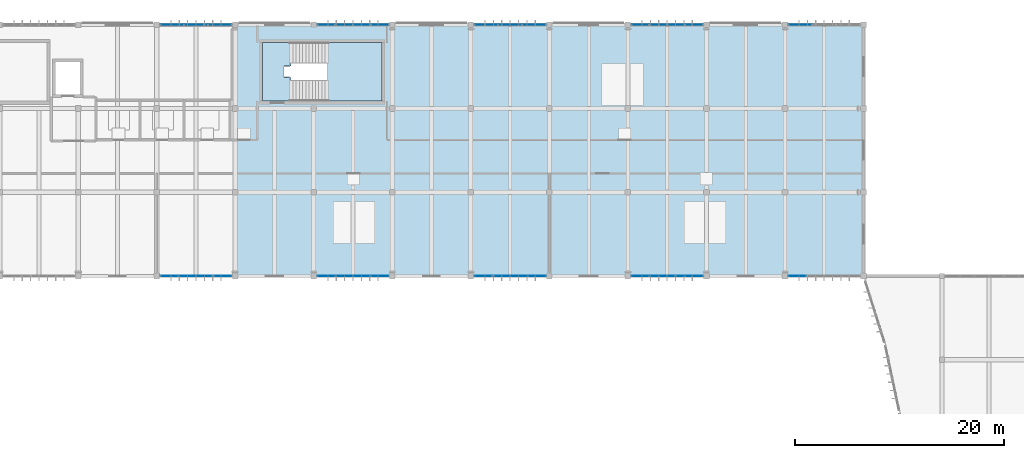
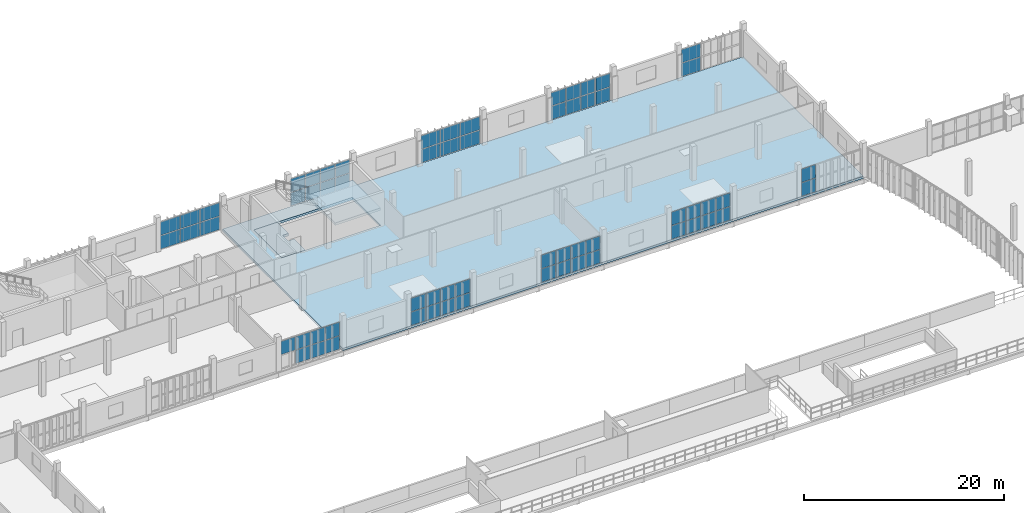
# One storey, part 35 of 61: 63 plates, 3 slabs, 11 elements without a shape of their own.
"""IFC4 building model written with IfcOpenShell, lengths in metres."""

from ifc_helpers import new_model, si_unit, direction, frame, origin, origin_2d, place, context, subcontext, project, spatial, polyline, rectangle, outline, extrude, material, layer, layer_set, type_object, element, aggregate, save


model = new_model("IFC4")

# Units and contexts
model_context = context("Model", 3, precision=1e-05, world=origin(), true_north=direction((0.0, 1.0)))
body_context = subcontext(model_context, "Body", "Model", "MODEL_VIEW")
ifc_project = project(units=[si_unit("LENGTHUNIT", "METRE"), si_unit("AREAUNIT", "SQUARE_METRE"), si_unit("VOLUMEUNIT", "CUBIC_METRE"), si_unit("PLANEANGLEUNIT", "RADIAN"), si_unit("MASSUNIT", "GRAM", prefix="KILO")], contexts=[model_context])

# Site, building, storey
site_placement = place(None, origin())
site = spatial("IfcSite", under=ifc_project, at=site_placement, CompositionType="ELEMENT")
building_placement = place(site_placement, origin())
building = spatial("IfcBuilding", under=site, at=building_placement, Name="Vourika Railside Aquatics Centre", CompositionType="ELEMENT")
storey_placement = place(building_placement, frame((0.0, 0.0, 9.300048828125)))
storey = spatial("IfcBuildingStorey", under=building, at=storey_placement, Name="L02", CompositionType="ELEMENT", Elevation=9.300048828125)

# Curtain wall, plates
ifc_material_1 = material(Name="Anodized thermally broken aluminium", Category="aluminium")
curtain_wall_type = type_object("IfcCurtainWallType", Name="CW-FIT2", PredefinedType="NOTDEFINED", material=ifc_material_1)
curtain_wall_1_placement = place(storey_placement, origin())
curtain_wall_1 = element("IfcCurtainWall", 1, at=curtain_wall_1_placement, inside=storey, type_object=curtain_wall_type, Name="North Boulevard Curtain Wall L02-7", PredefinedType="NOTDEFINED")
ifc_material_2 = material(Name="Low-E solar-control laminated double glazing", Category="glass")
ifc_layer_1 = layer(ifc_material_2, 0.02392578125, Name="CWP-FIT2")
ifc_layer_set_1 = layer_set([ifc_layer_1], Name="Low-E solar-control laminated double glazing")
plate_type = type_object("IfcPlateType", Name="CWP-FIT2", PredefinedType="CURTAIN_PANEL", material=ifc_layer_set_1)
plate_1_placement = place(storey_placement, frame((72.03173828125, 116.0, 0.059814453125), z_axis=(0.0, 0.0, 1.0), x_axis=(-1.0, 0.0, 0.0)))
plate_1 = element("IfcPlate", 2, at=plate_1_placement, type_object=plate_type, Name="CW16 panel 1.1", PredefinedType="CURTAIN_PANEL", context=body_context, shape_type="SweptSolid", body=[
    extrude(rectangle(XDim=2.206787109375, YDim=0.02392578125, at=origin_2d()), origin(), (0.0, 0.0, 1.0), 1.6201171875),
])
plate_2_placement = place(storey_placement, frame((72.03173828125, 116.0, 1.739990234375), z_axis=(0.0, 0.0, 1.0), x_axis=(-1.0, 0.0, 0.0)))
plate_2 = element("IfcPlate", 3, at=plate_2_placement, type_object=plate_type, Name="CW16 panel 1.2", PredefinedType="CURTAIN_PANEL", context=body_context, shape_type="SweptSolid", body=[
    extrude(rectangle(XDim=2.206787109375, YDim=0.02392578125, at=origin_2d()), origin(), (0.0, 0.0, 1.0), 1.6201171875),
])
plate_3_placement = place(storey_placement, frame((69.75, 116.0, 0.059814453125), z_axis=(0.0, 0.0, 1.0), x_axis=(-1.0, 0.0, 0.0)))
plate_3 = element("IfcPlate", 4, at=plate_3_placement, type_object=plate_type, Name="CW16 panel 2.1", PredefinedType="CURTAIN_PANEL", context=body_context, shape_type="SweptSolid", body=[
    extrude(rectangle(XDim=2.236572265625, YDim=0.02392578125, at=origin_2d()), origin(), (0.0, 0.0, 1.0), 1.6201171875),
])
plate_4_placement = place(storey_placement, frame((69.75, 116.0, 1.739990234375), z_axis=(0.0, 0.0, 1.0), x_axis=(-1.0, 0.0, 0.0)))
plate_4 = element("IfcPlate", 5, at=plate_4_placement, type_object=plate_type, Name="CW16 panel 2.2", PredefinedType="CURTAIN_PANEL", context=body_context, shape_type="SweptSolid", body=[
    extrude(rectangle(XDim=2.236572265625, YDim=0.02392578125, at=origin_2d()), origin(), (0.0, 0.0, 1.0), 1.6201171875),
])
plate_5_placement = place(storey_placement, frame((67.46826171875, 116.0, 0.059814453125), z_axis=(0.0, 0.0, 1.0), x_axis=(-1.0, 0.0, 0.0)))
plate_5 = element("IfcPlate", 6, at=plate_5_placement, type_object=plate_type, Name="CW16 panel 3.1", PredefinedType="CURTAIN_PANEL", context=body_context, shape_type="SweptSolid", body=[
    extrude(rectangle(XDim=2.206787109375, YDim=0.02392578125, at=origin_2d()), origin(), (0.0, 0.0, 1.0), 1.6201171875),
])
plate_6_placement = place(storey_placement, frame((67.46826171875, 116.0, 1.739990234375), z_axis=(0.0, 0.0, 1.0), x_axis=(-1.0, 0.0, 0.0)))
plate_6 = element("IfcPlate", 7, at=plate_6_placement, type_object=plate_type, Name="CW16 panel 3.2", PredefinedType="CURTAIN_PANEL", context=body_context, shape_type="SweptSolid", body=[
    extrude(rectangle(XDim=2.206787109375, YDim=0.02392578125, at=origin_2d()), origin(), (0.0, 0.0, 1.0), 1.6201171875),
])
aggregate(curtain_wall_1, [plate_1, plate_2, plate_3, plate_4, plate_5, plate_6])

curtain_wall_2_placement = place(storey_placement, origin())
curtain_wall_2 = element("IfcCurtainWall", 8, at=curtain_wall_2_placement, inside=storey, type_object=curtain_wall_type, Name="North Boulevard Curtain Wall L02-9", PredefinedType="NOTDEFINED")
plate_7_placement = place(storey_placement, frame((87.31884765625, 116.0, 0.059814453125), z_axis=(0.0, 0.0, 1.0), x_axis=(-1.0, 0.0, 0.0)))
plate_7 = element("IfcPlate", 9, at=plate_7_placement, type_object=plate_type, Name="CW16 panel 1.1", PredefinedType="CURTAIN_PANEL", context=body_context, shape_type="SweptSolid", body=[
    extrude(rectangle(XDim=1.632568359375, YDim=0.02392578125, at=origin_2d()), origin(), (0.0, 0.0, 1.0), 1.6201171875),
])
plate_8_placement = place(storey_placement, frame((87.31884765625, 116.0, 1.739990234375), z_axis=(0.0, 0.0, 1.0), x_axis=(-1.0, 0.0, 0.0)))
plate_8 = element("IfcPlate", 10, at=plate_8_placement, type_object=plate_type, Name="CW16 panel 1.2", PredefinedType="CURTAIN_PANEL", context=body_context, shape_type="SweptSolid", body=[
    extrude(rectangle(XDim=1.632568359375, YDim=0.02392578125, at=origin_2d()), origin(), (0.0, 0.0, 1.0), 1.6201171875),
])
plate_9_placement = place(storey_placement, frame((85.611328125, 116.0, 0.059814453125), z_axis=(0.0, 0.0, 1.0), x_axis=(-1.0, 0.0, 0.0)))
plate_9 = element("IfcPlate", 11, at=plate_9_placement, type_object=plate_type, Name="CW16 panel 2.1", PredefinedType="CURTAIN_PANEL", context=body_context, shape_type="SweptSolid", body=[
    extrude(rectangle(XDim=1.66259765625, YDim=0.02392578125, at=origin_2d()), origin(), (0.0, 0.0, 1.0), 1.6201171875),
])
plate_10_placement = place(storey_placement, frame((85.611328125, 116.0, 1.739990234375), z_axis=(0.0, 0.0, 1.0), x_axis=(-1.0, 0.0, 0.0)))
plate_10 = element("IfcPlate", 12, at=plate_10_placement, type_object=plate_type, Name="CW16 panel 2.2", PredefinedType="CURTAIN_PANEL", context=body_context, shape_type="SweptSolid", body=[
    extrude(rectangle(XDim=1.66259765625, YDim=0.02392578125, at=origin_2d()), origin(), (0.0, 0.0, 1.0), 1.6201171875),
])
plate_11_placement = place(storey_placement, frame((83.888671875, 116.0, 0.059814453125), z_axis=(0.0, 0.0, 1.0), x_axis=(-1.0, 0.0, 0.0)))
plate_11 = element("IfcPlate", 13, at=plate_11_placement, type_object=plate_type, Name="CW16 panel 3.1", PredefinedType="CURTAIN_PANEL", context=body_context, shape_type="SweptSolid", body=[
    extrude(rectangle(XDim=1.66259765625, YDim=0.02392578125, at=origin_2d()), origin(), (0.0, 0.0, 1.0), 1.6201171875),
])
plate_12_placement = place(storey_placement, frame((83.888671875, 116.0, 1.739990234375), z_axis=(0.0, 0.0, 1.0), x_axis=(-1.0, 0.0, 0.0)))
plate_12 = element("IfcPlate", 14, at=plate_12_placement, type_object=plate_type, Name="CW16 panel 3.2", PredefinedType="CURTAIN_PANEL", context=body_context, shape_type="SweptSolid", body=[
    extrude(rectangle(XDim=1.66259765625, YDim=0.02392578125, at=origin_2d()), origin(), (0.0, 0.0, 1.0), 1.6201171875),
])
plate_13_placement = place(storey_placement, frame((82.18115234375, 116.0, 0.059814453125), z_axis=(0.0, 0.0, 1.0), x_axis=(-1.0, 0.0, 0.0)))
plate_13 = element("IfcPlate", 15, at=plate_13_placement, type_object=plate_type, Name="CW16 panel 4.1", PredefinedType="CURTAIN_PANEL", context=body_context, shape_type="SweptSolid", body=[
    extrude(rectangle(XDim=1.632568359375, YDim=0.02392578125, at=origin_2d()), origin(), (0.0, 0.0, 1.0), 1.6201171875),
])
plate_14_placement = place(storey_placement, frame((82.18115234375, 116.0, 1.739990234375), z_axis=(0.0, 0.0, 1.0), x_axis=(-1.0, 0.0, 0.0)))
plate_14 = element("IfcPlate", 16, at=plate_14_placement, type_object=plate_type, Name="CW16 panel 4.2", PredefinedType="CURTAIN_PANEL", context=body_context, shape_type="SweptSolid", body=[
    extrude(rectangle(XDim=1.632568359375, YDim=0.02392578125, at=origin_2d()), origin(), (0.0, 0.0, 1.0), 1.6201171875),
])
aggregate(curtain_wall_2, [plate_7, plate_8, plate_9, plate_10, plate_11, plate_12, plate_13, plate_14])

curtain_wall_3_placement = place(storey_placement, origin())
curtain_wall_3 = element("IfcCurtainWall", 17, at=curtain_wall_3_placement, inside=storey, type_object=curtain_wall_type, Name="North Boulevard Curtain Wall L02-11", PredefinedType="NOTDEFINED")
plate_15_placement = place(storey_placement, frame((102.03173828125, 116.0, 0.06005859375), z_axis=(0.0, 0.0, 1.0), x_axis=(-1.0, 0.0, 0.0)))
plate_15 = element("IfcPlate", 18, at=plate_15_placement, type_object=plate_type, Name="CW16 panel 1.1", PredefinedType="CURTAIN_PANEL", context=body_context, shape_type="SweptSolid", body=[
    extrude(rectangle(XDim=2.206787109375, YDim=0.02392578125, at=origin_2d()), origin(), (0.0, 0.0, 1.0), 1.614990234375),
])
plate_16_placement = place(storey_placement, frame((102.03173828125, 116.0, 1.73486328125), z_axis=(0.0, 0.0, 1.0), x_axis=(-1.0, 0.0, 0.0)))
plate_16 = element("IfcPlate", 19, at=plate_16_placement, type_object=plate_type, Name="CW16 panel 1.2", PredefinedType="CURTAIN_PANEL", context=body_context, shape_type="SweptSolid", body=[
    extrude(rectangle(XDim=2.206787109375, YDim=0.02392578125, at=origin_2d()), origin(), (0.0, 0.0, 1.0), 1.614990234375),
])
plate_17_placement = place(storey_placement, frame((99.75, 116.0, 0.06005859375), z_axis=(0.0, 0.0, 1.0), x_axis=(-1.0, 0.0, 0.0)))
plate_17 = element("IfcPlate", 20, at=plate_17_placement, type_object=plate_type, Name="CW16 panel 2.1", PredefinedType="CURTAIN_PANEL", context=body_context, shape_type="SweptSolid", body=[
    extrude(rectangle(XDim=2.236572265625, YDim=0.02392578125, at=origin_2d()), origin(), (0.0, 0.0, 1.0), 1.614990234375),
])
plate_18_placement = place(storey_placement, frame((99.75, 116.0, 1.73486328125), z_axis=(0.0, 0.0, 1.0), x_axis=(-1.0, 0.0, 0.0)))
plate_18 = element("IfcPlate", 21, at=plate_18_placement, type_object=plate_type, Name="CW16 panel 2.2", PredefinedType="CURTAIN_PANEL", context=body_context, shape_type="SweptSolid", body=[
    extrude(rectangle(XDim=2.236572265625, YDim=0.02392578125, at=origin_2d()), origin(), (0.0, 0.0, 1.0), 1.614990234375),
])
plate_19_placement = place(storey_placement, frame((97.46826171875, 116.0, 0.06005859375), z_axis=(0.0, 0.0, 1.0), x_axis=(-1.0, 0.0, 0.0)))
plate_19 = element("IfcPlate", 22, at=plate_19_placement, type_object=plate_type, Name="CW16 panel 3.1", PredefinedType="CURTAIN_PANEL", context=body_context, shape_type="SweptSolid", body=[
    extrude(rectangle(XDim=2.206787109375, YDim=0.02392578125, at=origin_2d()), origin(), (0.0, 0.0, 1.0), 1.614990234375),
])
plate_20_placement = place(storey_placement, frame((97.46826171875, 116.0, 1.73486328125), z_axis=(0.0, 0.0, 1.0), x_axis=(-1.0, 0.0, 0.0)))
plate_20 = element("IfcPlate", 23, at=plate_20_placement, type_object=plate_type, Name="CW16 panel 3.2", PredefinedType="CURTAIN_PANEL", context=body_context, shape_type="SweptSolid", body=[
    extrude(rectangle(XDim=2.206787109375, YDim=0.02392578125, at=origin_2d()), origin(), (0.0, 0.0, 1.0), 1.614990234375),
])
aggregate(curtain_wall_3, [plate_15, plate_16, plate_17, plate_18, plate_19, plate_20])

curtain_wall_4_placement = place(storey_placement, origin())
curtain_wall_4 = element("IfcCurtainWall", 24, at=curtain_wall_4_placement, inside=storey, type_object=curtain_wall_type, Name="North Boulevard Curtain Wall L02-13", PredefinedType="NOTDEFINED")
plate_21_placement = place(storey_placement, frame((117.31884765625, 116.0, 0.06005859375), z_axis=(0.0, 0.0, 1.0), x_axis=(-1.0, 0.0, 0.0)))
plate_21 = element("IfcPlate", 25, at=plate_21_placement, type_object=plate_type, Name="CW16 panel 1.1", PredefinedType="CURTAIN_PANEL", context=body_context, shape_type="SweptSolid", body=[
    extrude(rectangle(XDim=1.632568359375, YDim=0.02392578125, at=origin_2d()), origin(), (0.0, 0.0, 1.0), 1.614990234375),
])
plate_22_placement = place(storey_placement, frame((117.31884765625, 116.0, 1.73486328125), z_axis=(0.0, 0.0, 1.0), x_axis=(-1.0, 0.0, 0.0)))
plate_22 = element("IfcPlate", 26, at=plate_22_placement, type_object=plate_type, Name="CW16 panel 1.2", PredefinedType="CURTAIN_PANEL", context=body_context, shape_type="SweptSolid", body=[
    extrude(rectangle(XDim=1.632568359375, YDim=0.02392578125, at=origin_2d()), origin(), (0.0, 0.0, 1.0), 1.614990234375),
])
plate_23_placement = place(storey_placement, frame((115.611328125, 116.0, 0.06005859375), z_axis=(0.0, 0.0, 1.0), x_axis=(-1.0, 0.0, 0.0)))
plate_23 = element("IfcPlate", 27, at=plate_23_placement, type_object=plate_type, Name="CW16 panel 2.1", PredefinedType="CURTAIN_PANEL", context=body_context, shape_type="SweptSolid", body=[
    extrude(rectangle(XDim=1.66259765625, YDim=0.02392578125, at=origin_2d()), origin(), (0.0, 0.0, 1.0), 1.614990234375),
])
plate_24_placement = place(storey_placement, frame((115.611328125, 116.0, 1.73486328125), z_axis=(0.0, 0.0, 1.0), x_axis=(-1.0, 0.0, 0.0)))
plate_24 = element("IfcPlate", 28, at=plate_24_placement, type_object=plate_type, Name="CW16 panel 2.2", PredefinedType="CURTAIN_PANEL", context=body_context, shape_type="SweptSolid", body=[
    extrude(rectangle(XDim=1.66259765625, YDim=0.02392578125, at=origin_2d()), origin(), (0.0, 0.0, 1.0), 1.614990234375),
])
plate_25_placement = place(storey_placement, frame((113.888671875, 116.0, 0.06005859375), z_axis=(0.0, 0.0, 1.0), x_axis=(-1.0, 0.0, 0.0)))
plate_25 = element("IfcPlate", 29, at=plate_25_placement, type_object=plate_type, Name="CW16 panel 3.1", PredefinedType="CURTAIN_PANEL", context=body_context, shape_type="SweptSolid", body=[
    extrude(rectangle(XDim=1.66259765625, YDim=0.02392578125, at=origin_2d()), origin(), (0.0, 0.0, 1.0), 1.614990234375),
])
plate_26_placement = place(storey_placement, frame((113.888671875, 116.0, 1.73486328125), z_axis=(0.0, 0.0, 1.0), x_axis=(-1.0, 0.0, 0.0)))
plate_26 = element("IfcPlate", 30, at=plate_26_placement, type_object=plate_type, Name="CW16 panel 3.2", PredefinedType="CURTAIN_PANEL", context=body_context, shape_type="SweptSolid", body=[
    extrude(rectangle(XDim=1.66259765625, YDim=0.02392578125, at=origin_2d()), origin(), (0.0, 0.0, 1.0), 1.614990234375),
])
plate_27_placement = place(storey_placement, frame((112.18115234375, 116.0, 0.06005859375), z_axis=(0.0, 0.0, 1.0), x_axis=(-1.0, 0.0, 0.0)))
plate_27 = element("IfcPlate", 31, at=plate_27_placement, type_object=plate_type, Name="CW16 panel 4.1", PredefinedType="CURTAIN_PANEL", context=body_context, shape_type="SweptSolid", body=[
    extrude(rectangle(XDim=1.632568359375, YDim=0.02392578125, at=origin_2d()), origin(), (0.0, 0.0, 1.0), 1.614990234375),
])
plate_28_placement = place(storey_placement, frame((112.18115234375, 116.0, 1.73486328125), z_axis=(0.0, 0.0, 1.0), x_axis=(-1.0, 0.0, 0.0)))
plate_28 = element("IfcPlate", 32, at=plate_28_placement, type_object=plate_type, Name="CW16 panel 4.2", PredefinedType="CURTAIN_PANEL", context=body_context, shape_type="SweptSolid", body=[
    extrude(rectangle(XDim=1.632568359375, YDim=0.02392578125, at=origin_2d()), origin(), (0.0, 0.0, 1.0), 1.614990234375),
])
aggregate(curtain_wall_4, [plate_21, plate_22, plate_23, plate_24, plate_25, plate_26, plate_27, plate_28])

curtain_wall_5_placement = place(storey_placement, origin())
curtain_wall_5 = element("IfcCurtainWall", 33, at=curtain_wall_5_placement, inside=storey, type_object=curtain_wall_type, Name="North Boulevard Curtain Wall L02-15", PredefinedType="NOTDEFINED")
plate_29_placement = place(storey_placement, frame((127.46826171875, 116.0, 0.06005859375), z_axis=(0.0, 0.0, 1.0), x_axis=(-1.0, 0.0, 0.0)))
plate_29 = element("IfcPlate", 34, at=plate_29_placement, type_object=plate_type, Name="CW16 panel 3.1", PredefinedType="CURTAIN_PANEL", context=body_context, shape_type="SweptSolid", body=[
    extrude(rectangle(XDim=2.206787109375, YDim=0.02392578125, at=origin_2d()), origin(), (0.0, 0.0, 1.0), 1.614990234375),
])
plate_30_placement = place(storey_placement, frame((127.46826171875, 116.0, 1.73486328125), z_axis=(0.0, 0.0, 1.0), x_axis=(-1.0, 0.0, 0.0)))
plate_30 = element("IfcPlate", 35, at=plate_30_placement, type_object=plate_type, Name="CW16 panel 3.2", PredefinedType="CURTAIN_PANEL", context=body_context, shape_type="SweptSolid", body=[
    extrude(rectangle(XDim=2.206787109375, YDim=0.02392578125, at=origin_2d()), origin(), (0.0, 0.0, 1.0), 1.614990234375),
])
aggregate(curtain_wall_5, [plate_29, plate_30])

curtain_wall_6_placement = place(storey_placement, origin())
curtain_wall_6 = element("IfcCurtainWall", 36, at=curtain_wall_6_placement, inside=storey, type_object=curtain_wall_type, Name="Courtyard Fitness Curtain Wall L02-5", PredefinedType="NOTDEFINED")
plate_31_placement = place(storey_placement, frame((67.18115234375, 92.0, 1.739990234375), z_axis=(0.0, 0.0, 1.0), x_axis=(1.0, 0.0, 0.0)))
plate_31 = element("IfcPlate", 37, at=plate_31_placement, type_object=plate_type, Name="CW16 panel 1.2", PredefinedType="CURTAIN_PANEL", context=body_context, shape_type="SweptSolid", body=[
    extrude(rectangle(XDim=1.632568359375, YDim=0.02392578125, at=origin_2d()), origin(), (0.0, 0.0, 1.0), 1.6201171875),
])
plate_32_placement = place(storey_placement, frame((68.888671875, 92.0, 0.059814453125), z_axis=(0.0, 0.0, 1.0), x_axis=(1.0, 0.0, 0.0)))
plate_32 = element("IfcPlate", 38, at=plate_32_placement, type_object=plate_type, Name="CW16 panel 2.1", PredefinedType="CURTAIN_PANEL", context=body_context, shape_type="SweptSolid", body=[
    extrude(rectangle(XDim=1.66259765625, YDim=0.02392578125, at=origin_2d()), origin(), (0.0, 0.0, 1.0), 1.6201171875),
])
plate_33_placement = place(storey_placement, frame((68.888671875, 92.0, 1.739990234375), z_axis=(0.0, 0.0, 1.0), x_axis=(1.0, 0.0, 0.0)))
plate_33 = element("IfcPlate", 39, at=plate_33_placement, type_object=plate_type, Name="CW16 panel 2.2", PredefinedType="CURTAIN_PANEL", context=body_context, shape_type="SweptSolid", body=[
    extrude(rectangle(XDim=1.66259765625, YDim=0.02392578125, at=origin_2d()), origin(), (0.0, 0.0, 1.0), 1.6201171875),
])
plate_34_placement = place(storey_placement, frame((70.611328125, 92.0, 0.059814453125), z_axis=(0.0, 0.0, 1.0), x_axis=(1.0, 0.0, 0.0)))
plate_34 = element("IfcPlate", 40, at=plate_34_placement, type_object=plate_type, Name="CW16 panel 3.1", PredefinedType="CURTAIN_PANEL", context=body_context, shape_type="SweptSolid", body=[
    extrude(rectangle(XDim=1.66259765625, YDim=0.02392578125, at=origin_2d()), origin(), (0.0, 0.0, 1.0), 1.6201171875),
])
plate_35_placement = place(storey_placement, frame((70.611328125, 92.0, 1.739990234375), z_axis=(0.0, 0.0, 1.0), x_axis=(1.0, 0.0, 0.0)))
plate_35 = element("IfcPlate", 41, at=plate_35_placement, type_object=plate_type, Name="CW16 panel 3.2", PredefinedType="CURTAIN_PANEL", context=body_context, shape_type="SweptSolid", body=[
    extrude(rectangle(XDim=1.66259765625, YDim=0.02392578125, at=origin_2d()), origin(), (0.0, 0.0, 1.0), 1.6201171875),
])
plate_36_placement = place(storey_placement, frame((72.31884765625, 92.0, 0.059814453125), z_axis=(0.0, 0.0, 1.0), x_axis=(1.0, 0.0, 0.0)))
plate_36 = element("IfcPlate", 42, at=plate_36_placement, type_object=plate_type, Name="CW16 panel 4.1", PredefinedType="CURTAIN_PANEL", context=body_context, shape_type="SweptSolid", body=[
    extrude(rectangle(XDim=1.632568359375, YDim=0.02392578125, at=origin_2d()), origin(), (0.0, 0.0, 1.0), 1.6201171875),
])
plate_37_placement = place(storey_placement, frame((72.31884765625, 92.0, 1.739990234375), z_axis=(0.0, 0.0, 1.0), x_axis=(1.0, 0.0, 0.0)))
plate_37 = element("IfcPlate", 43, at=plate_37_placement, type_object=plate_type, Name="CW16 panel 4.2", PredefinedType="CURTAIN_PANEL", context=body_context, shape_type="SweptSolid", body=[
    extrude(rectangle(XDim=1.632568359375, YDim=0.02392578125, at=origin_2d()), origin(), (0.0, 0.0, 1.0), 1.6201171875),
])
aggregate(curtain_wall_6, [plate_31, plate_32, plate_33, plate_34, plate_35, plate_36, plate_37])

curtain_wall_7_placement = place(storey_placement, origin())
curtain_wall_7 = element("IfcCurtainWall", 44, at=curtain_wall_7_placement, inside=storey, type_object=curtain_wall_type, Name="Courtyard Fitness Curtain Wall L02-7", PredefinedType="NOTDEFINED")
plate_38_placement = place(storey_placement, frame((82.18115234375, 92.0, 0.059814453125), z_axis=(0.0, 0.0, 1.0), x_axis=(1.0, 0.0, 0.0)))
plate_38 = element("IfcPlate", 45, at=plate_38_placement, type_object=plate_type, Name="CW16 panel 1.1", PredefinedType="CURTAIN_PANEL", context=body_context, shape_type="SweptSolid", body=[
    extrude(rectangle(XDim=1.632568359375, YDim=0.02392578125, at=origin_2d()), origin(), (0.0, 0.0, 1.0), 1.6201171875),
])
plate_39_placement = place(storey_placement, frame((82.18115234375, 92.0, 1.739990234375), z_axis=(0.0, 0.0, 1.0), x_axis=(1.0, 0.0, 0.0)))
plate_39 = element("IfcPlate", 46, at=plate_39_placement, type_object=plate_type, Name="CW16 panel 1.2", PredefinedType="CURTAIN_PANEL", context=body_context, shape_type="SweptSolid", body=[
    extrude(rectangle(XDim=1.632568359375, YDim=0.02392578125, at=origin_2d()), origin(), (0.0, 0.0, 1.0), 1.6201171875),
])
plate_40_placement = place(storey_placement, frame((83.888671875, 92.0, 0.059814453125), z_axis=(0.0, 0.0, 1.0), x_axis=(1.0, 0.0, 0.0)))
plate_40 = element("IfcPlate", 47, at=plate_40_placement, type_object=plate_type, Name="CW16 panel 2.1", PredefinedType="CURTAIN_PANEL", context=body_context, shape_type="SweptSolid", body=[
    extrude(rectangle(XDim=1.66259765625, YDim=0.02392578125, at=origin_2d()), origin(), (0.0, 0.0, 1.0), 1.6201171875),
])
plate_41_placement = place(storey_placement, frame((83.888671875, 92.0, 1.739990234375), z_axis=(0.0, 0.0, 1.0), x_axis=(1.0, 0.0, 0.0)))
plate_41 = element("IfcPlate", 48, at=plate_41_placement, type_object=plate_type, Name="CW16 panel 2.2", PredefinedType="CURTAIN_PANEL", context=body_context, shape_type="SweptSolid", body=[
    extrude(rectangle(XDim=1.66259765625, YDim=0.02392578125, at=origin_2d()), origin(), (0.0, 0.0, 1.0), 1.6201171875),
])
plate_42_placement = place(storey_placement, frame((85.611328125, 92.0, 0.059814453125), z_axis=(0.0, 0.0, 1.0), x_axis=(1.0, 0.0, 0.0)))
plate_42 = element("IfcPlate", 49, at=plate_42_placement, type_object=plate_type, Name="CW16 panel 3.1", PredefinedType="CURTAIN_PANEL", context=body_context, shape_type="SweptSolid", body=[
    extrude(rectangle(XDim=1.66259765625, YDim=0.02392578125, at=origin_2d()), origin(), (0.0, 0.0, 1.0), 1.6201171875),
])
plate_43_placement = place(storey_placement, frame((85.611328125, 92.0, 1.739990234375), z_axis=(0.0, 0.0, 1.0), x_axis=(1.0, 0.0, 0.0)))
plate_43 = element("IfcPlate", 50, at=plate_43_placement, type_object=plate_type, Name="CW16 panel 3.2", PredefinedType="CURTAIN_PANEL", context=body_context, shape_type="SweptSolid", body=[
    extrude(rectangle(XDim=1.66259765625, YDim=0.02392578125, at=origin_2d()), origin(), (0.0, 0.0, 1.0), 1.6201171875),
])
plate_44_placement = place(storey_placement, frame((87.31884765625, 92.0, 0.059814453125), z_axis=(0.0, 0.0, 1.0), x_axis=(1.0, 0.0, 0.0)))
plate_44 = element("IfcPlate", 51, at=plate_44_placement, type_object=plate_type, Name="CW16 panel 4.1", PredefinedType="CURTAIN_PANEL", context=body_context, shape_type="SweptSolid", body=[
    extrude(rectangle(XDim=1.632568359375, YDim=0.02392578125, at=origin_2d()), origin(), (0.0, 0.0, 1.0), 1.6201171875),
])
plate_45_placement = place(storey_placement, frame((87.31884765625, 92.0, 1.739990234375), z_axis=(0.0, 0.0, 1.0), x_axis=(1.0, 0.0, 0.0)))
plate_45 = element("IfcPlate", 52, at=plate_45_placement, type_object=plate_type, Name="CW16 panel 4.2", PredefinedType="CURTAIN_PANEL", context=body_context, shape_type="SweptSolid", body=[
    extrude(rectangle(XDim=1.632568359375, YDim=0.02392578125, at=origin_2d()), origin(), (0.0, 0.0, 1.0), 1.6201171875),
])
aggregate(curtain_wall_7, [plate_38, plate_39, plate_40, plate_41, plate_42, plate_43, plate_44, plate_45])

curtain_wall_8_placement = place(storey_placement, origin())
curtain_wall_8 = element("IfcCurtainWall", 53, at=curtain_wall_8_placement, inside=storey, type_object=curtain_wall_type, Name="Courtyard Fitness Curtain Wall L02-9", PredefinedType="NOTDEFINED")
plate_46_placement = place(storey_placement, frame((97.18115234375, 92.0, 0.06005859375), z_axis=(0.0, 0.0, 1.0), x_axis=(1.0, 0.0, 0.0)))
plate_46 = element("IfcPlate", 54, at=plate_46_placement, type_object=plate_type, Name="CW16 panel 1.1", PredefinedType="CURTAIN_PANEL", context=body_context, shape_type="SweptSolid", body=[
    extrude(rectangle(XDim=1.632568359375, YDim=0.02392578125, at=origin_2d()), origin(), (0.0, 0.0, 1.0), 1.614990234375),
])
plate_47_placement = place(storey_placement, frame((97.18115234375, 92.0, 1.73486328125), z_axis=(0.0, 0.0, 1.0), x_axis=(1.0, 0.0, 0.0)))
plate_47 = element("IfcPlate", 55, at=plate_47_placement, type_object=plate_type, Name="CW16 panel 1.2", PredefinedType="CURTAIN_PANEL", context=body_context, shape_type="SweptSolid", body=[
    extrude(rectangle(XDim=1.632568359375, YDim=0.02392578125, at=origin_2d()), origin(), (0.0, 0.0, 1.0), 1.614990234375),
])
plate_48_placement = place(storey_placement, frame((98.888671875, 92.0, 0.06005859375), z_axis=(0.0, 0.0, 1.0), x_axis=(1.0, 0.0, 0.0)))
plate_48 = element("IfcPlate", 56, at=plate_48_placement, type_object=plate_type, Name="CW16 panel 2.1", PredefinedType="CURTAIN_PANEL", context=body_context, shape_type="SweptSolid", body=[
    extrude(rectangle(XDim=1.66259765625, YDim=0.02392578125, at=origin_2d()), origin(), (0.0, 0.0, 1.0), 1.614990234375),
])
plate_49_placement = place(storey_placement, frame((98.888671875, 92.0, 1.73486328125), z_axis=(0.0, 0.0, 1.0), x_axis=(1.0, 0.0, 0.0)))
plate_49 = element("IfcPlate", 57, at=plate_49_placement, type_object=plate_type, Name="CW16 panel 2.2", PredefinedType="CURTAIN_PANEL", context=body_context, shape_type="SweptSolid", body=[
    extrude(rectangle(XDim=1.66259765625, YDim=0.02392578125, at=origin_2d()), origin(), (0.0, 0.0, 1.0), 1.614990234375),
])
plate_50_placement = place(storey_placement, frame((100.611328125, 92.0, 0.06005859375), z_axis=(0.0, 0.0, 1.0), x_axis=(1.0, 0.0, 0.0)))
plate_50 = element("IfcPlate", 58, at=plate_50_placement, type_object=plate_type, Name="CW16 panel 3.1", PredefinedType="CURTAIN_PANEL", context=body_context, shape_type="SweptSolid", body=[
    extrude(rectangle(XDim=1.66259765625, YDim=0.02392578125, at=origin_2d()), origin(), (0.0, 0.0, 1.0), 1.614990234375),
])
plate_51_placement = place(storey_placement, frame((100.611328125, 92.0, 1.73486328125), z_axis=(0.0, 0.0, 1.0), x_axis=(1.0, 0.0, 0.0)))
plate_51 = element("IfcPlate", 59, at=plate_51_placement, type_object=plate_type, Name="CW16 panel 3.2", PredefinedType="CURTAIN_PANEL", context=body_context, shape_type="SweptSolid", body=[
    extrude(rectangle(XDim=1.66259765625, YDim=0.02392578125, at=origin_2d()), origin(), (0.0, 0.0, 1.0), 1.614990234375),
])
plate_52_placement = place(storey_placement, frame((102.31884765625, 92.0, 0.06005859375), z_axis=(0.0, 0.0, 1.0), x_axis=(1.0, 0.0, 0.0)))
plate_52 = element("IfcPlate", 60, at=plate_52_placement, type_object=plate_type, Name="CW16 panel 4.1", PredefinedType="CURTAIN_PANEL", context=body_context, shape_type="SweptSolid", body=[
    extrude(rectangle(XDim=1.632568359375, YDim=0.02392578125, at=origin_2d()), origin(), (0.0, 0.0, 1.0), 1.614990234375),
])
plate_53_placement = place(storey_placement, frame((102.31884765625, 92.0, 1.73486328125), z_axis=(0.0, 0.0, 1.0), x_axis=(1.0, 0.0, 0.0)))
plate_53 = element("IfcPlate", 61, at=plate_53_placement, type_object=plate_type, Name="CW16 panel 4.2", PredefinedType="CURTAIN_PANEL", context=body_context, shape_type="SweptSolid", body=[
    extrude(rectangle(XDim=1.632568359375, YDim=0.02392578125, at=origin_2d()), origin(), (0.0, 0.0, 1.0), 1.614990234375),
])
aggregate(curtain_wall_8, [plate_46, plate_47, plate_48, plate_49, plate_50, plate_51, plate_52, plate_53])

curtain_wall_9_placement = place(storey_placement, origin())
curtain_wall_9 = element("IfcCurtainWall", 62, at=curtain_wall_9_placement, inside=storey, type_object=curtain_wall_type, Name="Courtyard Fitness Curtain Wall L02-11", PredefinedType="NOTDEFINED")
plate_54_placement = place(storey_placement, frame((112.18115234375, 92.0, 0.06005859375), z_axis=(0.0, 0.0, 1.0), x_axis=(1.0, 0.0, 0.0)))
plate_54 = element("IfcPlate", 63, at=plate_54_placement, type_object=plate_type, Name="CW16 panel 1.1", PredefinedType="CURTAIN_PANEL", context=body_context, shape_type="SweptSolid", body=[
    extrude(rectangle(XDim=1.632568359375, YDim=0.02392578125, at=origin_2d()), origin(), (0.0, 0.0, 1.0), 1.614990234375),
])
plate_55_placement = place(storey_placement, frame((112.18115234375, 92.0, 1.73486328125), z_axis=(0.0, 0.0, 1.0), x_axis=(1.0, 0.0, 0.0)))
plate_55 = element("IfcPlate", 64, at=plate_55_placement, type_object=plate_type, Name="CW16 panel 1.2", PredefinedType="CURTAIN_PANEL", context=body_context, shape_type="SweptSolid", body=[
    extrude(rectangle(XDim=1.632568359375, YDim=0.02392578125, at=origin_2d()), origin(), (0.0, 0.0, 1.0), 1.614990234375),
])
plate_56_placement = place(storey_placement, frame((113.888671875, 92.0, 0.06005859375), z_axis=(0.0, 0.0, 1.0), x_axis=(1.0, 0.0, 0.0)))
plate_56 = element("IfcPlate", 65, at=plate_56_placement, type_object=plate_type, Name="CW16 panel 2.1", PredefinedType="CURTAIN_PANEL", context=body_context, shape_type="SweptSolid", body=[
    extrude(rectangle(XDim=1.66259765625, YDim=0.02392578125, at=origin_2d()), origin(), (0.0, 0.0, 1.0), 1.614990234375),
])
plate_57_placement = place(storey_placement, frame((113.888671875, 92.0, 1.73486328125), z_axis=(0.0, 0.0, 1.0), x_axis=(1.0, 0.0, 0.0)))
plate_57 = element("IfcPlate", 66, at=plate_57_placement, type_object=plate_type, Name="CW16 panel 2.2", PredefinedType="CURTAIN_PANEL", context=body_context, shape_type="SweptSolid", body=[
    extrude(rectangle(XDim=1.66259765625, YDim=0.02392578125, at=origin_2d()), origin(), (0.0, 0.0, 1.0), 1.614990234375),
])
plate_58_placement = place(storey_placement, frame((115.611328125, 92.0, 0.06005859375), z_axis=(0.0, 0.0, 1.0), x_axis=(1.0, 0.0, 0.0)))
plate_58 = element("IfcPlate", 67, at=plate_58_placement, type_object=plate_type, Name="CW16 panel 3.1", PredefinedType="CURTAIN_PANEL", context=body_context, shape_type="SweptSolid", body=[
    extrude(rectangle(XDim=1.66259765625, YDim=0.02392578125, at=origin_2d()), origin(), (0.0, 0.0, 1.0), 1.614990234375),
])
plate_59_placement = place(storey_placement, frame((115.611328125, 92.0, 1.73486328125), z_axis=(0.0, 0.0, 1.0), x_axis=(1.0, 0.0, 0.0)))
plate_59 = element("IfcPlate", 68, at=plate_59_placement, type_object=plate_type, Name="CW16 panel 3.2", PredefinedType="CURTAIN_PANEL", context=body_context, shape_type="SweptSolid", body=[
    extrude(rectangle(XDim=1.66259765625, YDim=0.02392578125, at=origin_2d()), origin(), (0.0, 0.0, 1.0), 1.614990234375),
])
plate_60_placement = place(storey_placement, frame((117.31884765625, 92.0, 0.06005859375), z_axis=(0.0, 0.0, 1.0), x_axis=(1.0, 0.0, 0.0)))
plate_60 = element("IfcPlate", 69, at=plate_60_placement, type_object=plate_type, Name="CW16 panel 4.1", PredefinedType="CURTAIN_PANEL", context=body_context, shape_type="SweptSolid", body=[
    extrude(rectangle(XDim=1.632568359375, YDim=0.02392578125, at=origin_2d()), origin(), (0.0, 0.0, 1.0), 1.614990234375),
])
plate_61_placement = place(storey_placement, frame((117.31884765625, 92.0, 1.73486328125), z_axis=(0.0, 0.0, 1.0), x_axis=(1.0, 0.0, 0.0)))
plate_61 = element("IfcPlate", 70, at=plate_61_placement, type_object=plate_type, Name="CW16 panel 4.2", PredefinedType="CURTAIN_PANEL", context=body_context, shape_type="SweptSolid", body=[
    extrude(rectangle(XDim=1.632568359375, YDim=0.02392578125, at=origin_2d()), origin(), (0.0, 0.0, 1.0), 1.614990234375),
])
aggregate(curtain_wall_9, [plate_54, plate_55, plate_56, plate_57, plate_58, plate_59, plate_60, plate_61])

curtain_wall_10_placement = place(storey_placement, origin())
curtain_wall_10 = element("IfcCurtainWall", 71, at=curtain_wall_10_placement, inside=storey, type_object=curtain_wall_type, Name="Courtyard Fitness Curtain Wall L02-13", PredefinedType="NOTDEFINED")
plate_62_placement = place(storey_placement, frame((127.18115234375, 92.0, 0.06005859375), z_axis=(0.0, 0.0, 1.0), x_axis=(1.0, 0.0, 0.0)))
plate_62 = element("IfcPlate", 72, at=plate_62_placement, type_object=plate_type, Name="CW16 panel 1.1", PredefinedType="CURTAIN_PANEL", context=body_context, shape_type="SweptSolid", body=[
    extrude(rectangle(XDim=1.632568359375, YDim=0.02392578125, at=origin_2d()), origin(), (0.0, 0.0, 1.0), 1.614990234375),
])
plate_63_placement = place(storey_placement, frame((127.18115234375, 92.0, 1.73486328125), z_axis=(0.0, 0.0, 1.0), x_axis=(1.0, 0.0, 0.0)))
plate_63 = element("IfcPlate", 73, at=plate_63_placement, type_object=plate_type, Name="CW16 panel 1.2", PredefinedType="CURTAIN_PANEL", context=body_context, shape_type="SweptSolid", body=[
    extrude(rectangle(XDim=1.632568359375, YDim=0.02392578125, at=origin_2d()), origin(), (0.0, 0.0, 1.0), 1.614990234375),
])
aggregate(curtain_wall_10, [plate_62, plate_63])

# Slabs
ifc_material_3 = material(Name="Concrete C35/45", Category="concrete")
ifc_layer_2 = layer(ifc_material_3, 0.31005859375, Name="SLB-CORE-310")
ifc_layer_set_2 = layer_set([ifc_layer_2], Name="Concrete C35/45")
slab_type_1 = type_object("IfcSlabType", Name="SLB-CORE-310", PredefinedType="FLOOR", material=ifc_layer_set_2)
slab_1_placement = place(storey_placement, frame((0.0, 0.0, -0.31005859375)))
element("IfcSlab", 74, at=slab_1_placement, inside=storey, type_object=slab_type_1, Name="Protected Exit Stair Core ST03 Core Floor Landing (L02)", PredefinedType="FLOOR", context=body_context, shape_type="SweptSolid", body=[
    extrude(outline(polyline([(76.10009765625, 108.699951171875), (78.840087890625, 108.699951171875), (78.840087890625, 110.949951171875), (78.14990234375, 110.949951171875), (78.14990234375, 112.050048828125), (78.840087890625, 112.050048828125), (78.840087890625, 114.300048828125), (76.10009765625, 114.300048828125), (76.10009765625, 108.699951171875)])), origin(), (0.0, 0.0, 1.0), 0.31005859375),
])
ifc_layer_3 = layer(ifc_material_3, 0.280029296875, Name="SLB-FLOOR-280")
ifc_layer_set_3 = layer_set([ifc_layer_3], Name="Concrete C35/45")
slab_type_2 = type_object("IfcSlabType", Name="SLB-FLOOR-280", PredefinedType="FLOOR", material=ifc_layer_set_3)
slab_2_placement = place(storey_placement, frame((0.0, 0.0, -0.280029296875)))
element("IfcSlab", 75, at=slab_2_placement, inside=storey, type_object=slab_type_2, Name="L02 Floor Slab (v5_lab_e)", PredefinedType="FLOOR", context=body_context, shape_type="SweptSolid", body=[
    extrude(outline(polyline([(73.5, 92.0), (73.5, 116.0), (133.5, 116.0), (133.5, 92.0), (73.5, 92.0)]), holes=[polyline([(87.5, 114.300048828125), (76.10009765625, 114.300048828125), (76.10009765625, 108.699951171875), (87.5, 108.699951171875), (87.5, 114.300048828125)])]), origin(), (0.0, 0.0, 1.0), 0.280029296875),
])

# Stair, slab
stair_type = type_object("IfcStairType", Name="STR-CORE-L02", PredefinedType="TWO_STRAIGHT_RUN_STAIR", material=ifc_material_3)
stair_placement = place(storey_placement, origin())
stair = element("IfcStair", 76, at=stair_placement, inside=storey, type_object=stair_type, Name="Protected Exit Stair Core ST03 (L02)", PredefinedType="TWO_STRAIGHT_RUN_STAIR")
ifc_layer_4 = layer(ifc_material_3, 0.31005859375, Name="SLB-LND-310")
ifc_layer_set_4 = layer_set([ifc_layer_4], Name="Concrete C35/45")
slab_type_3 = type_object("IfcSlabType", Name="SLB-LND-310", PredefinedType="LANDING", material=ifc_layer_set_4)
slab_3_placement = place(storey_placement, frame((0.0, 0.0, 1.7900390625)))
slab_3 = element("IfcSlab", 77, at=slab_3_placement, type_object=slab_type_3, Name="STC-L02 landing 1", PredefinedType="LANDING", context=body_context, shape_type="SweptSolid", body=[
    extrude(outline(polyline([(82.256103515625, 108.699951171875), (87.5, 108.699951171875), (87.5, 114.300048828125), (82.256103515625, 114.300048828125), (82.256103515625, 108.699951171875)])), origin(), (0.0, 0.0, 1.0), 0.309814453125),
])
aggregate(stair, [slab_3])

save(model, "model.ifc")
